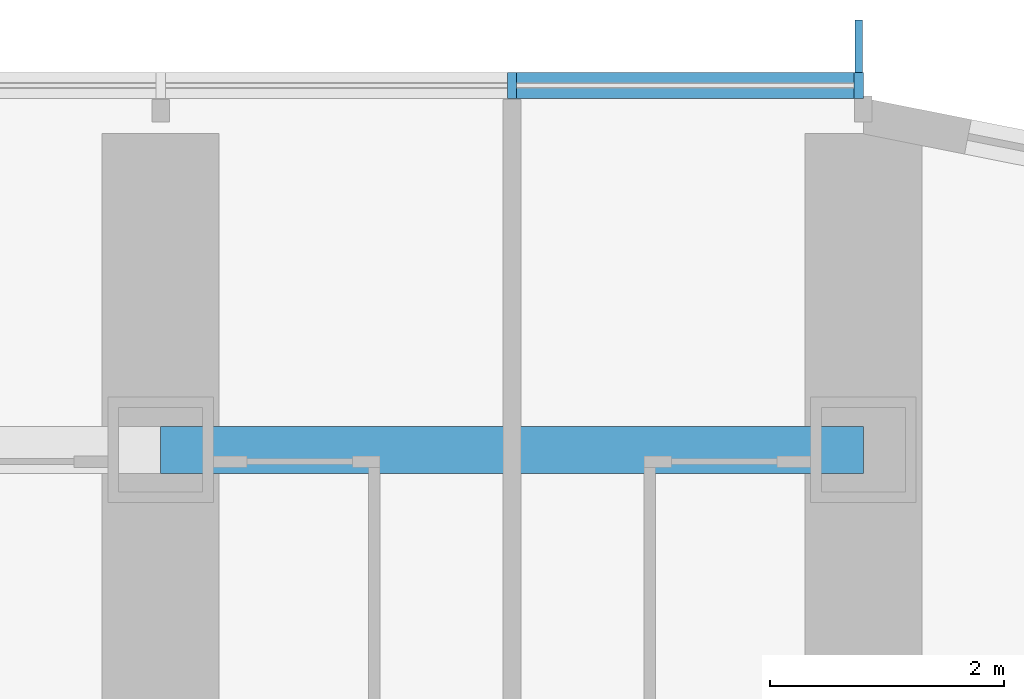
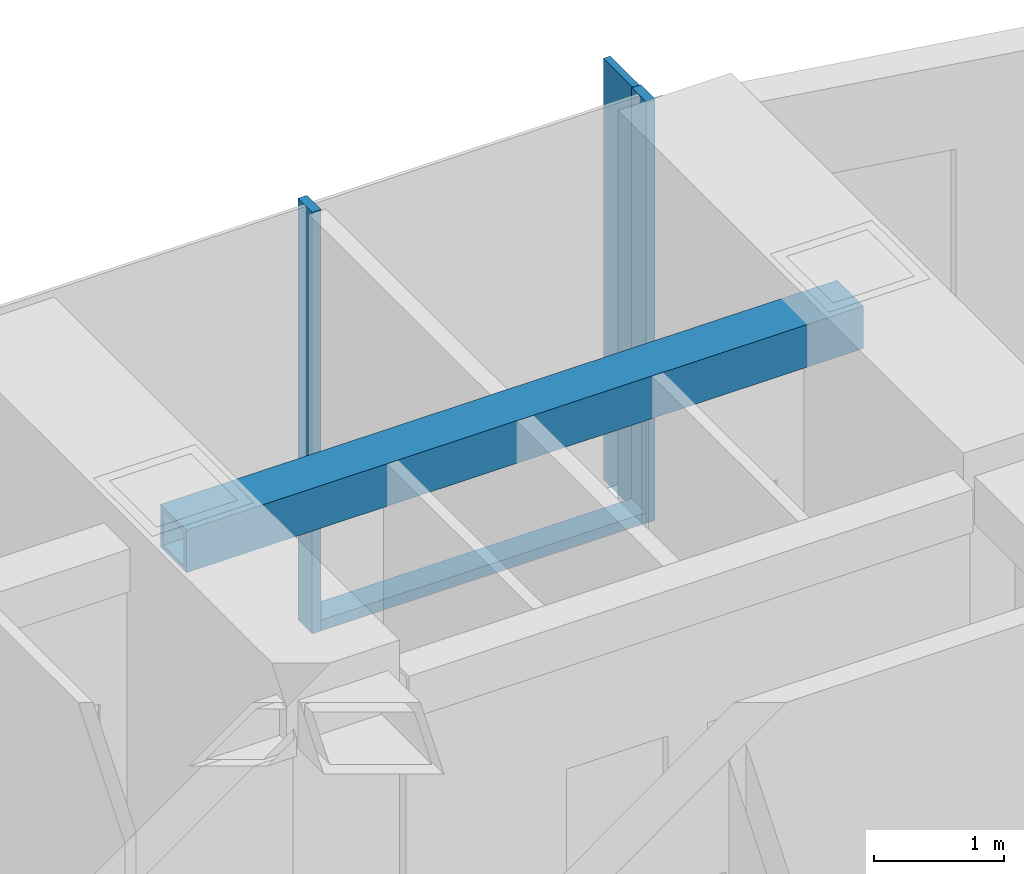
# One storey, part 9 of 28: 4 members, 1 beam, 1 element without a shape of its own.
"""IFC4 building model written with IfcOpenShell, lengths in metres."""

from ifc_helpers import new_model, si_unit, direction, frame, origin, origin_2d, place, context, subcontext, project, spatial, rectangle, hollow_rectangle, extrude, material, material_profile, profile_set, type_object, element, aggregate, save


model = new_model("IFC4")

# Units and contexts
model_context = context("Model", 3, precision=1e-05, world=origin(), true_north=direction((0.0, 1.0)))
body_context = subcontext(model_context, "Body", "Model", "MODEL_VIEW")
ifc_project = project(units=[si_unit("LENGTHUNIT", "METRE"), si_unit("AREAUNIT", "SQUARE_METRE"), si_unit("VOLUMEUNIT", "CUBIC_METRE"), si_unit("PLANEANGLEUNIT", "RADIAN"), si_unit("MASSUNIT", "GRAM", prefix="KILO")], contexts=[model_context])

# Site, building, storey
site_placement = place(None, origin())
site = spatial("IfcSite", under=ifc_project, at=site_placement, CompositionType="ELEMENT")
building_placement = place(site_placement, origin())
building = spatial("IfcBuilding", under=site, at=building_placement, Name="Orbita Commons", CompositionType="ELEMENT")
storey_placement = place(building_placement, frame((0.0, 0.0, 23.949951171875)))
storey = spatial("IfcBuildingStorey", under=building, at=storey_placement, Name="L05", CompositionType="ELEMENT", Elevation=23.949951171875)

# Curtain wall, members
ifc_material_1 = material(Name="Anodised aluminium frame, pale silver", Category="aluminium")
curtain_wall_type = type_object("IfcCurtainWallType", Name="Unitised curtain wall CW-T, vision and spandrel", PredefinedType="NOTDEFINED", material=ifc_material_1)
curtain_wall_placement = place(storey_placement, origin())
curtain_wall = element("IfcCurtainWall", 1, at=curtain_wall_placement, inside=storey, type_object=curtain_wall_type, Name="Curtain wall north L05", PredefinedType="NOTDEFINED")
ifc_material_2 = material(Name="Anodised aluminium, pale silver", Category="aluminium")
ifc_material_profile_1 = material_profile(ifc_material_2, rectangle(XDim=0.080078125, YDim=0.219970703125, at=origin_2d()), Name="AL 80x220")
ifc_profile_set_1 = profile_set([ifc_material_profile_1], Name="Anodised aluminium, pale silver")
member_type_1 = type_object("IfcMemberType", Name="Curtain wall mullion 80x220", PredefinedType="MULLION", material=ifc_profile_set_1)
member_1_placement = place(storey_placement, frame((71.9599609375, 56.7099609375, -0.449951171875), z_axis=(0.0, 0.0, 1.0), x_axis=(-1.0, 0.0, 0.0)))
member_1 = element("IfcMember", 2, at=member_1_placement, type_object=member_type_1, Name="Mullion 1 CW-L05-N", PredefinedType="MULLION", context=body_context, shape_type="SweptSolid", body=[
    extrude(rectangle(XDim=0.080078125, YDim=0.219970703125, at=origin_2d()), origin(), (0.0, 0.0, 1.0), 3.949951171875),
])
member_2_placement = place(storey_placement, frame((69.0, 56.7099609375, -0.449951171875), z_axis=(0.0, 0.0, 1.0), x_axis=(-1.0, 0.0, 0.0)))
member_2 = element("IfcMember", 3, at=member_2_placement, type_object=member_type_1, Name="Mullion 2 CW-L05-N", PredefinedType="MULLION", context=body_context, shape_type="SweptSolid", body=[
    extrude(rectangle(XDim=0.080078125, YDim=0.219970703125, at=origin_2d()), origin(), (0.0, 0.0, 1.0), 3.949951171875),
])
ifc_material_3 = material(Name="Anodised aluminium, pale silver", Category="aluminium")
ifc_material_profile_2 = material_profile(ifc_material_3, rectangle(XDim=0.219970703125, YDim=0.10009765625, at=origin_2d()), Name="AL 220x100")
ifc_profile_set_2 = profile_set([ifc_material_profile_2], Name="Anodised aluminium, pale silver")
member_type_2 = type_object("IfcMemberType", Name="Curtain wall stack transom 220x100", PredefinedType="USERDEFINED", material=ifc_profile_set_2)
member_3_placement = place(storey_placement, frame((71.919921875, 56.7099609375, -0.39990234375), z_axis=(-1.0, 0.0, 0.0), x_axis=(0.0, -1.0, 0.0)))
member_3 = element("IfcMember", 4, at=member_3_placement, type_object=member_type_2, Name="Transom 1.1 CW-L05-N", ObjectType="TRANSOM", PredefinedType="USERDEFINED", context=body_context, shape_type="SweptSolid", body=[
    extrude(rectangle(XDim=0.219970703125, YDim=0.10009765625, at=origin_2d()), origin(), (0.0, 0.0, 1.0), 2.8798828125),
])

# Beam
ifc_material_4 = material(Name="Steel ASTM A572 Gr 50 welded plate", Category="steel")
ifc_material_profile_3 = material_profile(ifc_material_4, hollow_rectangle(XDim=0.39990234375, YDim=0.39990234375, WallThickness=0.0400390625, at=origin_2d()), Name="BOX 400x400x40")
ifc_profile_set_3 = profile_set([ifc_material_profile_3], Name="Steel ASTM A572 Gr 50 welded plate")
beam_type = type_object("IfcBeamType", Name="Steel spandrel BOX 400x400x40", PredefinedType="SPANDREL", material=ifc_profile_set_3)
beam_placement = place(storey_placement, frame((66.0, 53.60009765625, 3.300048828125), z_axis=(1.0, 0.0, 0.0), x_axis=(0.0, 1.0, 0.0)))
element("IfcBeam", 5, at=beam_placement, inside=storey, type_object=beam_type, Name="Spandrel beam E 12-13 L05", PredefinedType="SPANDREL", context=body_context, shape_type="SweptSolid", body=[
    extrude(hollow_rectangle(XDim=0.39990234375, YDim=0.39990234375, WallThickness=0.0400390625, at=origin_2d()), origin(), (0.0, 0.0, 1.0), 6.0),
])

# Member
ifc_material_5 = material(Name="Anodised aluminium, pale silver", Category="aluminium")
ifc_material_profile_4 = material_profile(ifc_material_5, rectangle(XDim=0.06005859375, YDim=0.449951171875, at=origin_2d()), Name="FIN 60x450")
ifc_profile_set_4 = profile_set([ifc_material_profile_4], Name="Anodised aluminium, pale silver")
member_type_3 = type_object("IfcMemberType", Name="Vertical fin 60x450 pale aluminium", PredefinedType="USERDEFINED", material=ifc_profile_set_4)
member_4_placement = place(storey_placement, frame((71.9599609375, 57.044921875, -0.449951171875), z_axis=(0.0, 0.0, 1.0), x_axis=(-1.0, 0.0, 0.0)))
member_4 = element("IfcMember", 6, at=member_4_placement, type_object=member_type_3, Name="Fin 1 CW-L05-N", ObjectType="FIN", PredefinedType="USERDEFINED", context=body_context, shape_type="SweptSolid", body=[
    extrude(rectangle(XDim=0.06005859375, YDim=0.449951171875, at=origin_2d()), origin(), (0.0, 0.0, 1.0), 3.949951171875),
])

aggregate(curtain_wall, [member_1, member_4, member_2, member_3])

save(model, "model.ifc")
